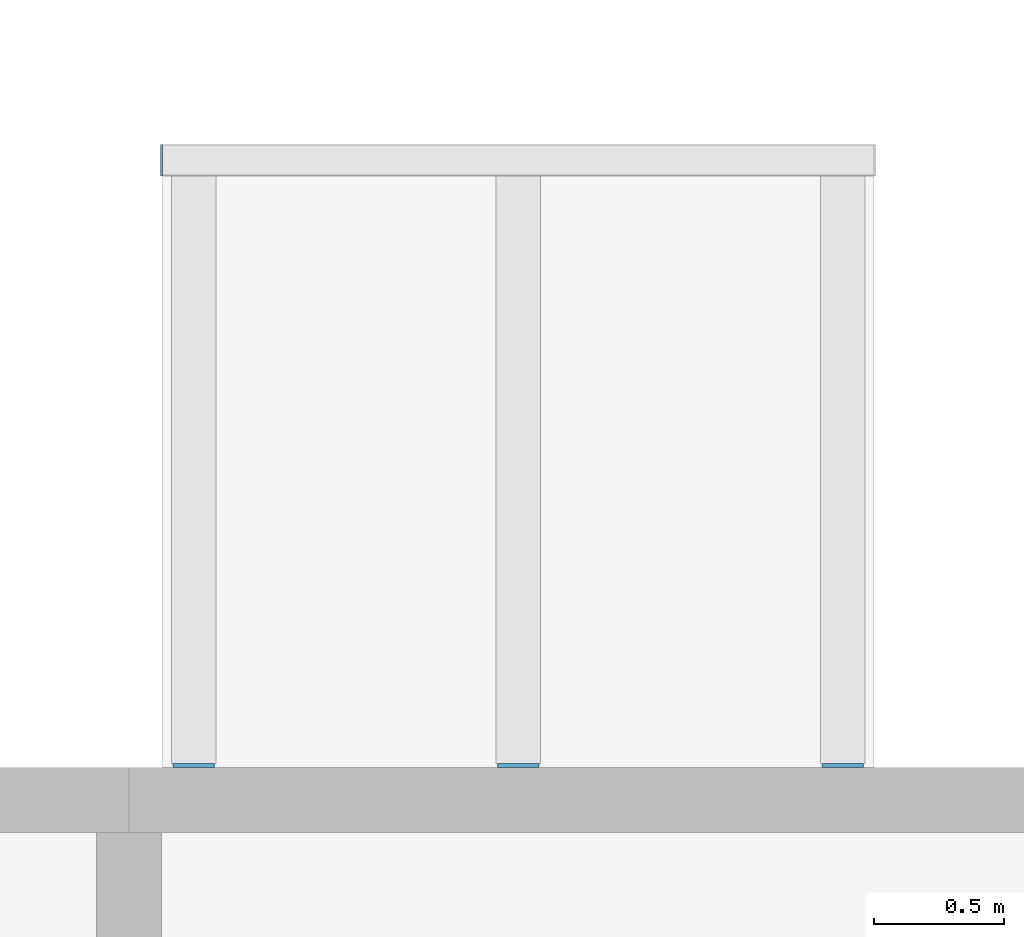
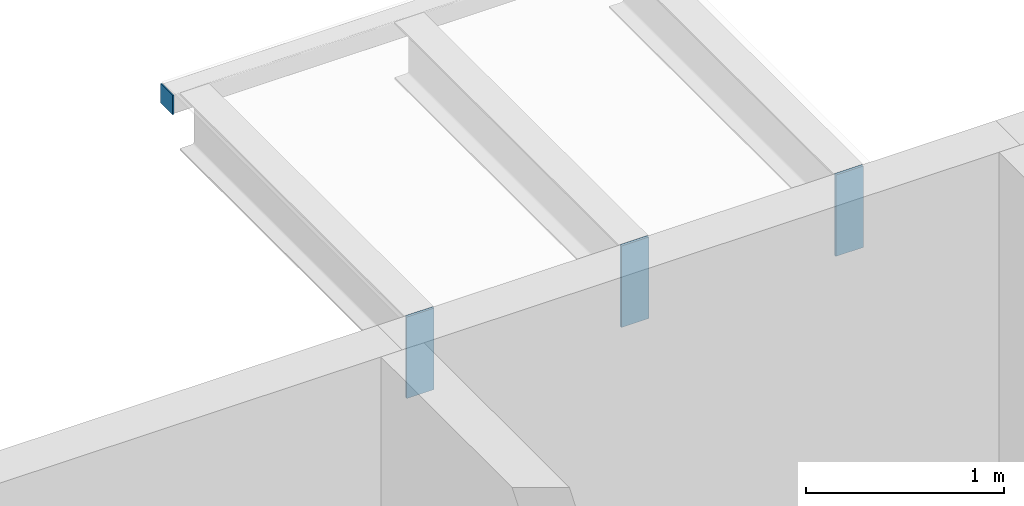
# One storey, part 85 of 122: 4 discrete accessories.
"""IFC4 building model written with IfcOpenShell, lengths in metres."""

import ifcopenshell
import ifcopenshell.guid

model = None  # the IFC model being written
_history = None  # IfcOwnerHistory: only IFC2X3 demands one
_inside = {}  # id of a spatial element -> (the spatial element, [elements in it])
_under = {}  # id of a project, library or spatial element -> (it, [spatial elements below it])
_declared = {}  # id of a project -> (the project, [libraries it declares])
_typed = {}  # id of a type object -> (the type object, [elements of that type])
_made_of = {}  # id of a material, layer set ... -> (it, [elements and type objects made of it])


def new_model(schema):
    """Start an empty IFC model of exactly this schema.

    Asked for "IFC4X3", IfcOpenShell would pick the latest addendum, in which some entities
    have other attributes; the version numbers below select the first issue.
    IFC2X3 requires an IfcOwnerHistory on every rooted entity: one is made here for all.
    """
    global model, _history
    if schema == "IFC4X3":
        model = ifcopenshell.file(schema_version=(4, 3, 0, 0))
    else:
        model = ifcopenshell.file(schema=schema)
    _inside.clear()
    _under.clear()
    _declared.clear()
    _typed.clear()
    _made_of.clear()
    _history = None
    if model.schema == "IFC2X3":
        org = make("IfcOrganization", Name="unknown")
        user = make(
            "IfcPersonAndOrganization",
            ThePerson=make("IfcPerson", FamilyName="unknown"),
            TheOrganization=org,
        )
        app = make(
            "IfcApplication",
            ApplicationDeveloper=org,
            Version="unknown",
            ApplicationFullName="unknown",
            ApplicationIdentifier="unknown",
        )
        _history = make(
            "IfcOwnerHistory",
            OwningUser=user,
            OwningApplication=app,
            ChangeAction="ADDED",
            CreationDate=0,
        )
    return model


def make(cls, **values):
    """One entity of the class cls with the attributes given. An attribute that is None is left unset."""
    return model.create_entity(
        cls, **{name: value for name, value in values.items() if value is not None}
    )


def rooted(cls, **values):
    """An entity with a GlobalId (a new one), such as an element, a storey or a relation."""
    return make(cls, GlobalId=ifcopenshell.guid.new(), OwnerHistory=_history, **values)


def si_unit(unit_type, name, prefix=None):
    """IfcSIUnit, for example si_unit("LENGTHUNIT", "METRE", prefix="MILLI")."""
    return make("IfcSIUnit", UnitType=unit_type, Prefix=prefix, Name=name)


def assignment(units):
    """IfcUnitAssignment: the units of a project."""
    return None if units is None else make("IfcUnitAssignment", Units=units)


def point(xyz):
    """IfcCartesianPoint."""
    return None if xyz is None else make("IfcCartesianPoint", Coordinates=xyz)


def direction(xyz):
    """IfcDirection."""
    return None if xyz is None else make("IfcDirection", DirectionRatios=xyz)


def frame(location, z_axis=None, x_axis=None):
    """IfcAxis2Placement3D, a coordinate frame: its origin and axes. An axis left out is left unset."""
    return make(
        "IfcAxis2Placement3D",
        Location=point(location),
        Axis=direction(z_axis),
        RefDirection=direction(x_axis),
    )


def frame_2d(location, x_axis=None):
    """IfcAxis2Placement2D, a coordinate frame in the plane: its origin and x axis."""
    return make(
        "IfcAxis2Placement2D", Location=point(location), RefDirection=direction(x_axis)
    )


def origin():
    """The frame at (0, 0, 0) with its axes left unset."""
    return frame((0.0, 0.0, 0.0))


def origin_2d():
    """The frame at (0, 0) in the plane with its x axis left unset."""
    return frame_2d((0.0, 0.0))


def place(relative_to, where):
    """IfcLocalPlacement: puts the frame where relative to a parent placement (None: the world)."""
    return make(
        "IfcLocalPlacement", PlacementRelTo=relative_to, RelativePlacement=where
    )


def context(
    kind, dimensions, precision=None, world=None, true_north=None, identifier=None
):
    """IfcGeometricRepresentationContext, for example the 3D "Model" context."""
    return make(
        "IfcGeometricRepresentationContext",
        ContextIdentifier=identifier,
        ContextType=kind,
        CoordinateSpaceDimension=dimensions,
        Precision=precision,
        WorldCoordinateSystem=world,
        TrueNorth=true_north,
    )


def subcontext(parent, identifier, kind, view, scale=None):
    """IfcGeometricRepresentationSubContext, for example "Body" below "Model"."""
    return make(
        "IfcGeometricRepresentationSubContext",
        ContextIdentifier=identifier,
        ContextType=kind,
        ParentContext=parent,
        TargetScale=scale,
        TargetView=view,
    )


def project(units=None, contexts=None):
    """IfcProject with its units and contexts."""
    return rooted(
        "IfcProject",
        Name="project",
        RepresentationContexts=contexts,
        UnitsInContext=assignment(units),
    )


def spatial(cls, under=None, at=None, **own):
    """A site, building, storey or space (cls), placed at a placement, below another one or the project."""
    s = rooted(cls, ObjectPlacement=at, **own)
    if under is not None:
        _under.setdefault(under.id(), (under, []))[1].append(s)
    return s


def profile(cls, at=None, kind="AREA", **sizes):
    """A parametric profile (cls). Its sizes go by their IFC names, for example OverallWidth=200.0."""
    return make(cls, ProfileType=kind, Position=at, **sizes)


def rectangle(**sizes):
    """IfcRectangleProfileDef."""
    return profile("IfcRectangleProfileDef", **sizes)


def extrude(swept, where, along, depth):
    """IfcExtrudedAreaSolid: the profile swept, set in the frame where, extruded along a direction by depth."""
    return make(
        "IfcExtrudedAreaSolid",
        SweptArea=swept,
        Position=where,
        ExtrudedDirection=direction(along),
        Depth=depth,
    )


def shape(context_of_items, identifier, shape_type, items):
    """IfcShapeRepresentation: the items that make up one representation, for example the "Body"."""
    return make(
        "IfcShapeRepresentation",
        ContextOfItems=context_of_items,
        RepresentationIdentifier=identifier,
        RepresentationType=shape_type,
        Items=items,
    )


def material(Name=None, Category=None):
    """IfcMaterial."""
    return make("IfcMaterial", Name=Name, Category=Category)


def layer(
    of_material, thickness, ventilated=None, Name=None, Category=None, Priority=None
):
    """IfcMaterialLayer: one layer of a wall or slab, of a material (None: an air gap)."""
    return make(
        "IfcMaterialLayer",
        Material=of_material,
        LayerThickness=thickness,
        IsVentilated=ventilated,
        Name=Name,
        Category=Category,
        Priority=Priority,
    )


def layer_set(layers, Name=None):
    """IfcMaterialLayerSet."""
    return make("IfcMaterialLayerSet", MaterialLayers=layers, LayerSetName=Name)


def made_of(thing, what):
    """Note that an element or type object is made of a material, layer set ...; save() writes the relation."""
    if what is not None:
        _made_of.setdefault(what.id(), (what, []))[1].append(thing)
    return thing


def type_object(cls, material=None, **own):
    """A type object (cls), such as IfcWallType, which elements share."""
    return made_of(rooted(cls, **own), material)


def element(
    cls,
    number,
    at=None,
    inside=None,
    cuts=None,
    type_object=None,
    material=None,
    context=None,
    identifier="Body",
    shape_type=None,
    held_by="IfcProductDefinitionShape",
    body=None,
    shapes=None,
    **own,
):
    """One element of the class cls, such as IfcWall. Its Tag is "e" and its number.

    at: its placement. inside: the storey or other place that contains it. cuts: it is an
    opening in that element (IfcRelVoidsElement). A single representation is given by context,
    identifier, shape_type and body (its items); several are given by shapes. held_by: the class
    of the entity that holds the representations. save() writes the other relations.
    """
    e = rooted(cls, Tag="e%d" % number, ObjectPlacement=at, **own)
    if body is not None:
        shapes = [shape(context, identifier, shape_type, body)]
    if shapes is not None:
        e.Representation = make(held_by, Representations=shapes)
    if inside is not None:
        _inside.setdefault(inside.id(), (inside, []))[1].append(e)
    if cuts is not None:
        rooted(
            "IfcRelVoidsElement", RelatingBuildingElement=cuts, RelatedOpeningElement=e
        )
    if type_object is not None:
        _typed.setdefault(type_object.id(), (type_object, []))[1].append(e)
    return made_of(e, material)


def aggregate(whole, parts):
    """IfcRelAggregates: a whole, such as a stair, and the parts it consists of."""
    return rooted("IfcRelAggregates", RelatingObject=whole, RelatedObjects=parts)


def save(model, path):
    """Write the relations noted so far, then the file.

    IfcRelAggregates (storeys below a building ...), IfcRelContainedInSpatialStructure (elements
    in a storey), IfcRelDefinesByType, IfcRelAssociatesMaterial and IfcRelDeclares: one each for
    every whole, place, type object, material and project.
    """
    for whole, parts in _under.values():
        aggregate(whole, parts)
    for where, things in _inside.values():
        rooted(
            "IfcRelContainedInSpatialStructure",
            RelatedElements=things,
            RelatingStructure=where,
        )
    for kind, things in _typed.values():
        rooted("IfcRelDefinesByType", RelatedObjects=things, RelatingType=kind)
    for what, things in _made_of.values():
        rooted("IfcRelAssociatesMaterial", RelatedObjects=things, RelatingMaterial=what)
    for by, libraries in _declared.values():
        rooted("IfcRelDeclares", RelatingContext=by, RelatedDefinitions=libraries)
    model.write(path)


model = new_model("IFC4")

# Units and contexts
model_context = context("Model", 3, precision=1e-05, world=origin(), true_north=direction((0.0, 1.0)))
body_context = subcontext(model_context, "Body", "Model", "MODEL_VIEW")
ifc_project = project(units=[si_unit("LENGTHUNIT", "METRE"), si_unit("AREAUNIT", "SQUARE_METRE"), si_unit("VOLUMEUNIT", "CUBIC_METRE"), si_unit("PLANEANGLEUNIT", "RADIAN"), si_unit("MASSUNIT", "GRAM", prefix="KILO")], contexts=[model_context])

# Site, building, storey
site_placement = place(None, origin())
site = spatial("IfcSite", under=ifc_project, at=site_placement, CompositionType="ELEMENT")
building_placement = place(site_placement, origin())
building = spatial("IfcBuilding", under=site, at=building_placement, Name="Ridgestep Commons", CompositionType="ELEMENT")
storey_placement = place(building_placement, frame((0.0, 0.0, 3.0)))
storey = spatial("IfcBuildingStorey", under=building, at=storey_placement, Name="L01", CompositionType="ELEMENT", Elevation=3.0)

# Discrete accessories
ifc_material_1 = material(Name="Weathering steel S355J2W", Category="steel")
ifc_layer_1 = layer(ifc_material_1, 0.014892578125)
ifc_layer_set_1 = layer_set([ifc_layer_1], Name="Tray bracket plate 15")
discrete_accessory_type_1 = type_object("IfcDiscreteAccessoryType", Name="Tray bracket plate 15", PredefinedType="BRACKET", material=ifc_layer_set_1)
for number, where, z_axis, x_axis, name in (
    (1, (15.85009765625, 23.007568359375, 2.488525390625), (0.0, 0.0, 1.0), (1.0, 0.0, 0.0), "Tray bracket A1T2-02.1"),
    (2, (17.10009765625, 23.007568359375, 2.488525390625), (0.0, 0.0, 1.0), (1.0, 0.0, 0.0), "Tray bracket A1T2-02.2"),
    (3, (18.35009765625, 23.007568359375, 2.488525390625), (0.0, 0.0, 1.0), (1.0, 0.0, 0.0), "Tray bracket A1T2-02.3"),
):
    element("IfcDiscreteAccessory", number, at=place(storey_placement, frame(where, z_axis=z_axis, x_axis=x_axis)), inside=storey, type_object=discrete_accessory_type_1, Name=name, PredefinedType="BRACKET", context=body_context, shape_type="SweptSolid", body=[
        extrude(rectangle(XDim=0.159912109375, YDim=0.014892578125, at=origin_2d()), origin(), (0.0, 0.0, 1.0), 0.50146484375),
    ])
ifc_material_2 = material(Name="Weathering steel S355J2W", Category="steel")
ifc_layer_2 = layer(ifc_material_2, 0.008056640625)
ifc_layer_set_2 = layer_set([ifc_layer_2], Name="Tray edge member end plate 120 x 120 x 8")
discrete_accessory_type_2 = type_object("IfcDiscreteAccessoryType", Name="Tray edge member end plate 120 x 120 x 8", PredefinedType="BRACKET", material=ifc_layer_set_2)
discrete_accessory_placement = place(storey_placement, frame((15.72607421875, 25.340087890625, 2.869873046875), z_axis=(0.0, 0.0, 1.0), x_axis=(1.0, 0.0, 0.0)))
element("IfcDiscreteAccessory", 4, at=discrete_accessory_placement, inside=storey, type_object=discrete_accessory_type_2, Name="Tray edge member end plate A1T2-02 west", PredefinedType="BRACKET", context=body_context, shape_type="SweptSolid", body=[
    extrude(rectangle(XDim=0.008056640625, YDim=0.1201171875, at=origin_2d()), origin(), (0.0, 0.0, 1.0), 0.1201171875),
])

save(model, "model.ifc")
